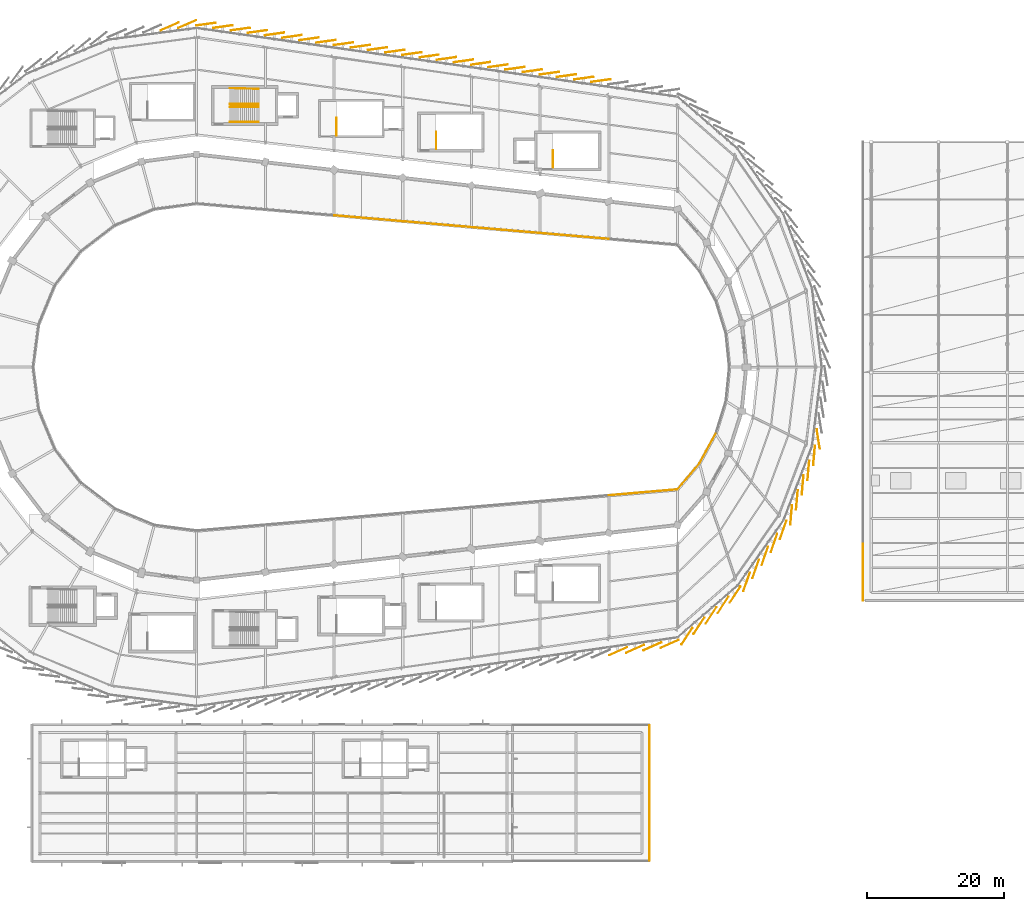
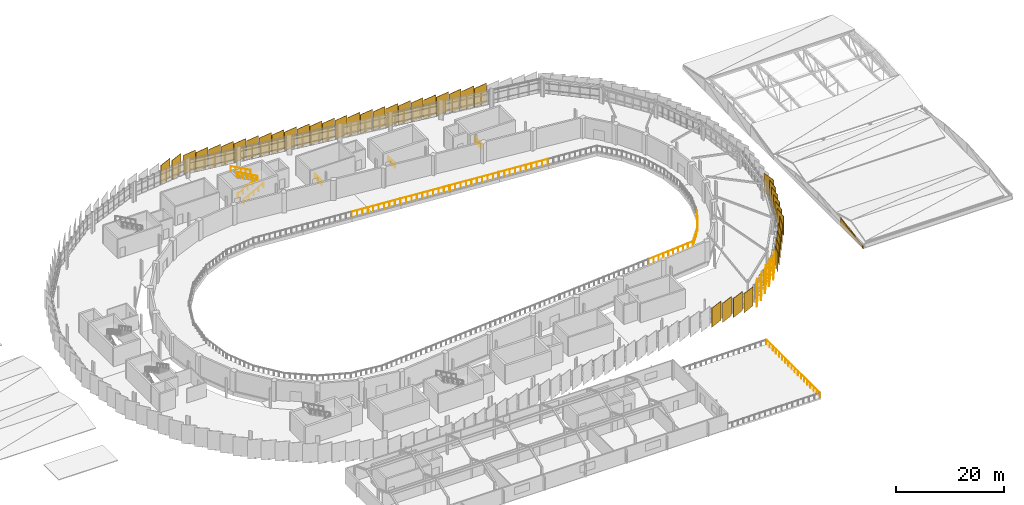
# One storey, part 85 of 87: 48 coverings, 16 railings.
"""IFC4 building model written with IfcOpenShell, lengths in metres."""

from ifc_helpers import new_model, si_unit, direction, frame, origin, origin_2d, place, context, subcontext, project, spatial, polyline, rectangle, circle, outline, extrude, material, layer, layer_set, type_object, element, save


model = new_model("IFC4")

# Units and contexts
model_context = context("Model", 3, precision=1e-05, world=origin(), true_north=direction((0.0, 1.0)))
body_context = subcontext(model_context, "Body", "Model", "MODEL_VIEW")
ifc_project = project(units=[si_unit("LENGTHUNIT", "METRE"), si_unit("AREAUNIT", "SQUARE_METRE"), si_unit("VOLUMEUNIT", "CUBIC_METRE"), si_unit("PLANEANGLEUNIT", "RADIAN"), si_unit("MASSUNIT", "GRAM", prefix="KILO")], contexts=[model_context])

# Site, building, storey
site_placement = place(None, origin())
site = spatial("IfcSite", under=ifc_project, at=site_placement, CompositionType="ELEMENT")
building_placement = place(site_placement, origin())
building = spatial("IfcBuilding", under=site, at=building_placement, Name="Sohan Crest Arena", CompositionType="ELEMENT")
storey_placement = place(building_placement, frame((0.0, 0.0, 18.0)))
storey = spatial("IfcBuildingStorey", under=building, at=storey_placement, Name="L04", CompositionType="ELEMENT", Elevation=18.0)

# Railings
ifc_material_1 = material(Name="Powder-coated wrought steel balustrade", Category="steel")
railing_type_1 = type_object("IfcRailingType", Name="ARC-GRD-01", PredefinedType="GUARDRAIL", material=ifc_material_1)
railing_1_placement = place(storey_placement, frame((107.030029296875, 116.10009765625, 2.25)))
element("IfcRailing", 1, at=railing_1_placement, inside=storey, type_object=railing_type_1, Name="Stair well slot guard GRD-039", PredefinedType="GUARDRAIL", context=body_context, shape_type="SweptSolid", body=[
    extrude(circle(Radius=0.02392578125, at=origin_2d()), frame((0.0, 0.0, 1.076171875), z_axis=(-0.87313487534, 0.0, 0.487478706678), x_axis=(0.0, -1.0, 0.0)), (0.0, 0.0, 1.0), 4.615478515625),
    extrude(circle(Radius=0.02099609375, at=origin_2d()), origin(), (0.0, 0.0, 1.0), 1.052001953125),
    extrude(circle(Radius=0.02099609375, at=origin_2d()), frame((-1.007568359375, 0.0, 0.5625)), (0.0, 0.0, 1.0), 1.052001953125),
    extrude(circle(Radius=0.02099609375, at=origin_2d()), frame((-2.01513671875, 0.0, 1.125)), (0.0, 0.0, 1.0), 1.052001953125),
    extrude(circle(Radius=0.02099609375, at=origin_2d()), frame((-3.0224609375, 0.0, 1.6875)), (0.0, 0.0, 1.0), 1.052001953125),
    extrude(circle(Radius=0.02099609375, at=origin_2d()), frame((-4.030029296875, 0.0, 2.25)), (0.0, 0.0, 1.0), 1.052001953125),
])
for number, where, name in (
    (2, (118.3701171875, 111.719970703125, 0.0), "Top stair landing well guard GRD-050"),
    (3, (149.8701171875, 107.02001953125, 0.0), "Top stair landing well guard GRD-060"),
):
    element("IfcRailing", number, at=place(storey_placement, frame(where)), inside=storey, type_object=railing_type_1, Name=name, PredefinedType="GUARDRAIL", context=body_context, shape_type="SweptSolid", body=[
        extrude(circle(Radius=0.02392578125, at=origin_2d()), frame((0.0, 0.0, 1.076171875), z_axis=(0.0, 1.0, 0.0), x_axis=(-1.0, 0.0, 0.0)), (0.0, 0.0, 1.0), 2.56005859375),
        extrude(circle(Radius=0.02099609375, at=origin_2d()), origin(), (0.0, 0.0, 1.0), 1.052001953125),
        extrude(circle(Radius=0.02099609375, at=origin_2d()), frame((0.0, 0.853271484375, 0.0)), (0.0, 0.0, 1.0), 1.052001953125),
        extrude(circle(Radius=0.02099609375, at=origin_2d()), frame((0.0, 1.706787109375, 0.0)), (0.0, 0.0, 1.0), 1.052001953125),
        extrude(circle(Radius=0.02099609375, at=origin_2d()), frame((0.0, 2.56005859375, 0.0)), (0.0, 0.0, 1.0), 1.052001953125),
    ])
railing_2_placement = place(storey_placement, frame((132.8701171875, 109.77001953125, 0.0)))
element("IfcRailing", 4, at=railing_2_placement, inside=storey, type_object=railing_type_1, Name="Top stair landing well guard GRD-122", PredefinedType="GUARDRAIL", context=body_context, shape_type="SweptSolid", body=[
    extrude(circle(Radius=0.02392578125, at=origin_2d()), frame((0.0, 0.0, 1.076171875), z_axis=(0.0, 1.0, 0.0), x_axis=(-1.0, 0.0, 0.0)), (0.0, 0.0, 1.0), 2.4599609375),
    extrude(circle(Radius=0.02099609375, at=origin_2d()), origin(), (0.0, 0.0, 1.0), 1.052001953125),
    extrude(circle(Radius=0.02099609375, at=origin_2d()), frame((0.0, 0.820068359375, 0.0)), (0.0, 0.0, 1.0), 1.052001953125),
    extrude(circle(Radius=0.02099609375, at=origin_2d()), frame((0.0, 1.639892578125, 0.0)), (0.0, 0.0, 1.0), 1.052001953125),
    extrude(circle(Radius=0.02099609375, at=origin_2d()), frame((0.0, 2.4599609375, 0.0)), (0.0, 0.0, 1.0), 1.052001953125),
])
railing_3_placement = place(storey_placement, frame((163.89990234375, 6.139892578125, 0.0)))
element("IfcRailing", 5, at=railing_3_placement, inside=storey, type_object=railing_type_1, Name="East roof garden balustrade GRD-306", PredefinedType="GUARDRAIL", context=body_context, shape_type="SweptSolid", body=[
    extrude(circle(Radius=0.02392578125, at=origin_2d()), frame((0.0, 0.0, 1.076171875), z_axis=(0.0, 1.0, 0.0), x_axis=(-1.0, 0.0, 0.0)), (0.0, 0.0, 1.0), 19.72021484375),
    extrude(circle(Radius=0.02099609375, at=origin_2d()), origin(), (0.0, 0.0, 1.0), 1.052001953125),
    extrude(circle(Radius=0.02099609375, at=origin_2d()), frame((0.0, 1.159912109375, 0.0)), (0.0, 0.0, 1.0), 1.052001953125),
    extrude(circle(Radius=0.02099609375, at=origin_2d()), frame((0.0, 2.320068359375, 0.0)), (0.0, 0.0, 1.0), 1.052001953125),
    extrude(circle(Radius=0.02099609375, at=origin_2d()), frame((0.0, 3.47998046875, 0.0)), (0.0, 0.0, 1.0), 1.052001953125),
    extrude(circle(Radius=0.02099609375, at=origin_2d()), frame((0.0, 4.64013671875, 0.0)), (0.0, 0.0, 1.0), 1.052001953125),
    extrude(circle(Radius=0.02099609375, at=origin_2d()), frame((0.0, 5.800048828125, 0.0)), (0.0, 0.0, 1.0), 1.052001953125),
    extrude(circle(Radius=0.02099609375, at=origin_2d()), frame((0.0, 6.9599609375, 0.0)), (0.0, 0.0, 1.0), 1.052001953125),
    extrude(circle(Radius=0.02099609375, at=origin_2d()), frame((0.0, 8.1201171875, 0.0)), (0.0, 0.0, 1.0), 1.052001953125),
    extrude(circle(Radius=0.02099609375, at=origin_2d()), frame((0.0, 9.280029296875, 0.0)), (0.0, 0.0, 1.0), 1.052001953125),
    extrude(circle(Radius=0.02099609375, at=origin_2d()), frame((0.0, 10.440185546875, 0.0)), (0.0, 0.0, 1.0), 1.052001953125),
    extrude(circle(Radius=0.02099609375, at=origin_2d()), frame((0.0, 11.60009765625, 0.0)), (0.0, 0.0, 1.0), 1.052001953125),
    extrude(circle(Radius=0.02099609375, at=origin_2d()), frame((0.0, 12.76025390625, 0.0)), (0.0, 0.0, 1.0), 1.052001953125),
    extrude(circle(Radius=0.02099609375, at=origin_2d()), frame((0.0, 13.920166015625, 0.0)), (0.0, 0.0, 1.0), 1.052001953125),
    extrude(circle(Radius=0.02099609375, at=origin_2d()), frame((0.0, 15.080078125, 0.0)), (0.0, 0.0, 1.0), 1.052001953125),
    extrude(circle(Radius=0.02099609375, at=origin_2d()), frame((0.0, 16.240234375, 0.0)), (0.0, 0.0, 1.0), 1.052001953125),
    extrude(circle(Radius=0.02099609375, at=origin_2d()), frame((0.0, 17.400146484375, 0.0)), (0.0, 0.0, 1.0), 1.052001953125),
    extrude(circle(Radius=0.02099609375, at=origin_2d()), frame((0.0, 18.560302734375, 0.0)), (0.0, 0.0, 1.0), 1.052001953125),
    extrude(circle(Radius=0.02099609375, at=origin_2d()), frame((0.0, 19.72021484375, 0.0)), (0.0, 0.0, 1.0), 1.052001953125),
])
ifc_material_2 = material(Name="Laminated glass and steel sightline guard", Category="steel")
railing_type_2 = type_object("IfcRailingType", Name="ARC-GRD-02", PredefinedType="GUARDRAIL", material=ifc_material_2)
railing_4_placement = place(storey_placement, frame((158.0400390625, 59.345947265625, 0.0)))
element("IfcRailing", 6, at=railing_4_placement, inside=storey, type_object=railing_type_2, Name="Bowl gallery edge guard GRD-270", PredefinedType="GUARDRAIL", context=body_context, shape_type="SweptSolid", body=[
    extrude(circle(Radius=0.02392578125, at=origin_2d()), frame((0.0, 0.0, 1.1259765625), z_axis=(0.996339849936, 0.085480427173, 0.0), x_axis=(-0.085480427173, 0.996339849936, 0.0)), (0.0, 0.0, 1.0), 9.956298828125),
    extrude(circle(Radius=0.02099609375, at=origin_2d()), origin(), (0.0, 0.0, 1.0), 1.101806640625),
    extrude(circle(Radius=0.02099609375, at=origin_2d()), frame((1.102294921875, 0.094482421875, 0.0)), (0.0, 0.0, 1.0), 1.101806640625),
    extrude(circle(Radius=0.02099609375, at=origin_2d()), frame((2.204345703125, 0.189208984375, 0.0)), (0.0, 0.0, 1.0), 1.101806640625),
    extrude(circle(Radius=0.02099609375, at=origin_2d()), frame((3.306640625, 0.28369140625, 0.0)), (0.0, 0.0, 1.0), 1.101806640625),
    extrude(circle(Radius=0.02099609375, at=origin_2d()), frame((4.408935546875, 0.378173828125, 0.0)), (0.0, 0.0, 1.0), 1.101806640625),
    extrude(circle(Radius=0.02099609375, at=origin_2d()), frame((5.510986328125, 0.472900390625, 0.0)), (0.0, 0.0, 1.0), 1.101806640625),
    extrude(circle(Radius=0.02099609375, at=origin_2d()), frame((6.61328125, 0.5673828125, 0.0)), (0.0, 0.0, 1.0), 1.101806640625),
    extrude(circle(Radius=0.02099609375, at=origin_2d()), frame((7.715576171875, 0.661865234375, 0.0)), (0.0, 0.0, 1.0), 1.101806640625),
    extrude(circle(Radius=0.02099609375, at=origin_2d()), frame((8.817626953125, 0.756591796875, 0.0)), (0.0, 0.0, 1.0), 1.101806640625),
    extrude(circle(Radius=0.02099609375, at=origin_2d()), frame((9.919921875, 0.85107421875, 0.0)), (0.0, 0.0, 1.0), 1.101806640625),
])
railing_5_placement = place(storey_placement, frame((168.02587890625, 60.23095703125, 0.0)))
element("IfcRailing", 7, at=railing_5_placement, inside=storey, type_object=railing_type_2, Name="Bowl gallery edge guard GRD-271", PredefinedType="GUARDRAIL", context=body_context, shape_type="SweptSolid", body=[
    extrude(circle(Radius=0.02392578125, at=origin_2d()), frame((0.0, 0.0, 1.1259765625), z_axis=(0.644656953224, 0.764471982914, 0.0), x_axis=(-0.764471982914, 0.644656953224, 0.0)), (0.0, 0.0, 1.0), 4.8740234375),
    extrude(circle(Radius=0.02099609375, at=origin_2d()), origin(), (0.0, 0.0, 1.0), 1.101806640625),
    extrude(circle(Radius=0.02099609375, at=origin_2d()), frame((0.62841796875, 0.7451171875, 0.0)), (0.0, 0.0, 1.0), 1.101806640625),
    extrude(circle(Radius=0.02099609375, at=origin_2d()), frame((1.2568359375, 1.490478515625, 0.0)), (0.0, 0.0, 1.0), 1.101806640625),
    extrude(circle(Radius=0.02099609375, at=origin_2d()), frame((1.88525390625, 2.235595703125, 0.0)), (0.0, 0.0, 1.0), 1.101806640625),
    extrude(circle(Radius=0.02099609375, at=origin_2d()), frame((2.513671875, 2.98095703125, 0.0)), (0.0, 0.0, 1.0), 1.101806640625),
    extrude(circle(Radius=0.02099609375, at=origin_2d()), frame((3.14208984375, 3.72607421875, 0.0)), (0.0, 0.0, 1.0), 1.101806640625),
])
railing_6_placement = place(storey_placement, frame((171.212890625, 64.02294921875, 0.0)))
element("IfcRailing", 8, at=railing_6_placement, inside=storey, type_object=railing_type_2, Name="Bowl gallery edge guard GRD-272", PredefinedType="GUARDRAIL", context=body_context, shape_type="SweptSolid", body=[
    extrude(circle(Radius=0.02392578125, at=origin_2d()), frame((0.0, 0.0, 1.1259765625), z_axis=(0.47973946728, 0.877410988952, 0.0), x_axis=(-0.877410988952, 0.47973946728, 0.0)), (0.0, 0.0, 1.0), 4.875732421875),
    extrude(circle(Radius=0.02099609375, at=origin_2d()), origin(), (0.0, 0.0, 1.0), 1.101806640625),
    extrude(circle(Radius=0.02099609375, at=origin_2d()), frame((0.4677734375, 0.855712890625, 0.0)), (0.0, 0.0, 1.0), 1.101806640625),
    extrude(circle(Radius=0.02099609375, at=origin_2d()), frame((0.935546875, 1.711181640625, 0.0)), (0.0, 0.0, 1.0), 1.101806640625),
    extrude(circle(Radius=0.02099609375, at=origin_2d()), frame((1.403564453125, 2.56689453125, 0.0)), (0.0, 0.0, 1.0), 1.101806640625),
    extrude(circle(Radius=0.02099609375, at=origin_2d()), frame((1.871337890625, 3.42236328125, 0.0)), (0.0, 0.0, 1.0), 1.101806640625),
    extrude(circle(Radius=0.02099609375, at=origin_2d()), frame((2.339111328125, 4.278076171875, 0.0)), (0.0, 0.0, 1.0), 1.101806640625),
])
railing_7_placement = place(storey_placement, frame((157.9599609375, 96.659912109375, 0.0)))
element("IfcRailing", 9, at=railing_7_placement, inside=storey, type_object=railing_type_2, Name="Bowl gallery edge guard GRD-280", PredefinedType="GUARDRAIL", context=body_context, shape_type="SweptSolid", body=[
    extrude(circle(Radius=0.02392578125, at=origin_2d()), frame((0.0, 0.0, 1.1259765625), z_axis=(-0.996339849936, 0.085480427173, 0.0), x_axis=(-0.085480427173, -0.996339849936, 0.0)), (0.0, 0.0, 1.0), 9.956298828125),
    extrude(circle(Radius=0.02099609375, at=origin_2d()), origin(), (0.0, 0.0, 1.0), 1.101806640625),
    extrude(circle(Radius=0.02099609375, at=origin_2d()), frame((-1.102294921875, 0.094482421875, 0.0)), (0.0, 0.0, 1.0), 1.101806640625),
    extrude(circle(Radius=0.02099609375, at=origin_2d()), frame((-2.204345703125, 0.189208984375, 0.0)), (0.0, 0.0, 1.0), 1.101806640625),
    extrude(circle(Radius=0.02099609375, at=origin_2d()), frame((-3.306640625, 0.28369140625, 0.0)), (0.0, 0.0, 1.0), 1.101806640625),
    extrude(circle(Radius=0.02099609375, at=origin_2d()), frame((-4.408935546875, 0.378173828125, 0.0)), (0.0, 0.0, 1.0), 1.101806640625),
    extrude(circle(Radius=0.02099609375, at=origin_2d()), frame((-5.510986328125, 0.472900390625, 0.0)), (0.0, 0.0, 1.0), 1.101806640625),
    extrude(circle(Radius=0.02099609375, at=origin_2d()), frame((-6.61328125, 0.5673828125, 0.0)), (0.0, 0.0, 1.0), 1.101806640625),
    extrude(circle(Radius=0.02099609375, at=origin_2d()), frame((-7.715576171875, 0.661865234375, 0.0)), (0.0, 0.0, 1.0), 1.101806640625),
    extrude(circle(Radius=0.02099609375, at=origin_2d()), frame((-8.817626953125, 0.756591796875, 0.0)), (0.0, 0.0, 1.0), 1.101806640625),
    extrude(circle(Radius=0.02099609375, at=origin_2d()), frame((-9.919921875, 0.85107421875, 0.0)), (0.0, 0.0, 1.0), 1.101806640625),
])
railing_8_placement = place(storey_placement, frame((147.9599609375, 97.51708984375, 0.0)))
element("IfcRailing", 10, at=railing_8_placement, inside=storey, type_object=railing_type_2, Name="Bowl gallery edge guard GRD-281", PredefinedType="GUARDRAIL", context=body_context, shape_type="SweptSolid", body=[
    extrude(circle(Radius=0.02392578125, at=origin_2d()), frame((0.0, 0.0, 1.1259765625), z_axis=(-0.996341938042, 0.085456085206, 0.0), x_axis=(-0.085456085206, -0.996341938042, 0.0)), (0.0, 0.0, 1.0), 9.956298828125),
    extrude(circle(Radius=0.02099609375, at=origin_2d()), origin(), (0.0, 0.0, 1.0), 1.101806640625),
    extrude(circle(Radius=0.02099609375, at=origin_2d()), frame((-1.102294921875, 0.094482421875, 0.0)), (0.0, 0.0, 1.0), 1.101806640625),
    extrude(circle(Radius=0.02099609375, at=origin_2d()), frame((-2.204345703125, 0.18896484375, 0.0)), (0.0, 0.0, 1.0), 1.101806640625),
    extrude(circle(Radius=0.02099609375, at=origin_2d()), frame((-3.306640625, 0.28369140625, 0.0)), (0.0, 0.0, 1.0), 1.101806640625),
    extrude(circle(Radius=0.02099609375, at=origin_2d()), frame((-4.408935546875, 0.378173828125, 0.0)), (0.0, 0.0, 1.0), 1.101806640625),
    extrude(circle(Radius=0.02099609375, at=origin_2d()), frame((-5.510986328125, 0.47265625, 0.0)), (0.0, 0.0, 1.0), 1.101806640625),
    extrude(circle(Radius=0.02099609375, at=origin_2d()), frame((-6.61328125, 0.567138671875, 0.0)), (0.0, 0.0, 1.0), 1.101806640625),
    extrude(circle(Radius=0.02099609375, at=origin_2d()), frame((-7.715576171875, 0.661865234375, 0.0)), (0.0, 0.0, 1.0), 1.101806640625),
    extrude(circle(Radius=0.02099609375, at=origin_2d()), frame((-8.817626953125, 0.75634765625, 0.0)), (0.0, 0.0, 1.0), 1.101806640625),
    extrude(circle(Radius=0.02099609375, at=origin_2d()), frame((-9.919921875, 0.850830078125, 0.0)), (0.0, 0.0, 1.0), 1.101806640625),
])
railing_9_placement = place(storey_placement, frame((137.9599609375, 98.3740234375, 0.0)))
element("IfcRailing", 11, at=railing_9_placement, inside=storey, type_object=railing_type_2, Name="Bowl gallery edge guard GRD-282", PredefinedType="GUARDRAIL", context=body_context, shape_type="SweptSolid", body=[
    extrude(circle(Radius=0.02392578125, at=origin_2d()), frame((0.0, 0.0, 1.1259765625), z_axis=(-0.996331491652, 0.085577793509, 0.0), x_axis=(-0.085577793509, -0.996331491652, 0.0)), (0.0, 0.0, 1.0), 9.95654296875),
    extrude(circle(Radius=0.02099609375, at=origin_2d()), origin(), (0.0, 0.0, 1.0), 1.101806640625),
    extrude(circle(Radius=0.02099609375, at=origin_2d()), frame((-1.102294921875, 0.0947265625, 0.0)), (0.0, 0.0, 1.0), 1.101806640625),
    extrude(circle(Radius=0.02099609375, at=origin_2d()), frame((-2.204345703125, 0.189453125, 0.0)), (0.0, 0.0, 1.0), 1.101806640625),
    extrude(circle(Radius=0.02099609375, at=origin_2d()), frame((-3.306640625, 0.283935546875, 0.0)), (0.0, 0.0, 1.0), 1.101806640625),
    extrude(circle(Radius=0.02099609375, at=origin_2d()), frame((-4.408935546875, 0.378662109375, 0.0)), (0.0, 0.0, 1.0), 1.101806640625),
    extrude(circle(Radius=0.02099609375, at=origin_2d()), frame((-5.510986328125, 0.473388671875, 0.0)), (0.0, 0.0, 1.0), 1.101806640625),
    extrude(circle(Radius=0.02099609375, at=origin_2d()), frame((-6.61328125, 0.568115234375, 0.0)), (0.0, 0.0, 1.0), 1.101806640625),
    extrude(circle(Radius=0.02099609375, at=origin_2d()), frame((-7.715576171875, 0.66259765625, 0.0)), (0.0, 0.0, 1.0), 1.101806640625),
    extrude(circle(Radius=0.02099609375, at=origin_2d()), frame((-8.817626953125, 0.75732421875, 0.0)), (0.0, 0.0, 1.0), 1.101806640625),
    extrude(circle(Radius=0.02099609375, at=origin_2d()), frame((-9.919921875, 0.85205078125, 0.0)), (0.0, 0.0, 1.0), 1.101806640625),
])
railing_10_placement = place(storey_placement, frame((127.9599609375, 99.23193359375, 0.0)))
element("IfcRailing", 12, at=railing_10_placement, inside=storey, type_object=railing_type_2, Name="Bowl gallery edge guard GRD-283", PredefinedType="GUARDRAIL", context=body_context, shape_type="SweptSolid", body=[
    extrude(circle(Radius=0.02392578125, at=origin_2d()), frame((0.0, 0.0, 1.1259765625), z_axis=(-0.996339849936, 0.085480427173, 0.0), x_axis=(-0.085480427173, -0.996339849936, 0.0)), (0.0, 0.0, 1.0), 9.956298828125),
    extrude(circle(Radius=0.02099609375, at=origin_2d()), origin(), (0.0, 0.0, 1.0), 1.101806640625),
    extrude(circle(Radius=0.02099609375, at=origin_2d()), frame((-1.102294921875, 0.094482421875, 0.0)), (0.0, 0.0, 1.0), 1.101806640625),
    extrude(circle(Radius=0.02099609375, at=origin_2d()), frame((-2.204345703125, 0.189208984375, 0.0)), (0.0, 0.0, 1.0), 1.101806640625),
    extrude(circle(Radius=0.02099609375, at=origin_2d()), frame((-3.306640625, 0.28369140625, 0.0)), (0.0, 0.0, 1.0), 1.101806640625),
    extrude(circle(Radius=0.02099609375, at=origin_2d()), frame((-4.408935546875, 0.378173828125, 0.0)), (0.0, 0.0, 1.0), 1.101806640625),
    extrude(circle(Radius=0.02099609375, at=origin_2d()), frame((-5.510986328125, 0.472900390625, 0.0)), (0.0, 0.0, 1.0), 1.101806640625),
    extrude(circle(Radius=0.02099609375, at=origin_2d()), frame((-6.61328125, 0.5673828125, 0.0)), (0.0, 0.0, 1.0), 1.101806640625),
    extrude(circle(Radius=0.02099609375, at=origin_2d()), frame((-7.715576171875, 0.661865234375, 0.0)), (0.0, 0.0, 1.0), 1.101806640625),
    extrude(circle(Radius=0.02099609375, at=origin_2d()), frame((-8.817626953125, 0.756591796875, 0.0)), (0.0, 0.0, 1.0), 1.101806640625),
    extrude(circle(Radius=0.02099609375, at=origin_2d()), frame((-9.919921875, 0.85107421875, 0.0)), (0.0, 0.0, 1.0), 1.101806640625),
])
ifc_material_3 = material(Name="Brushed stainless steel stair handrail", Category="steel")
railing_type_3 = type_object("IfcRailingType", Name="ARC-HR-01", PredefinedType="HANDRAIL", material=ifc_material_3)
for number, where, name in (
    (13, (102.85009765625, 113.7099609375, 0.0), "Stair pitch handrail HR-133"),
    (14, (102.85009765625, 115.889892578125, 0.0), "Stair pitch handrail HR-134"),
):
    element("IfcRailing", number, at=place(storey_placement, frame(where)), inside=storey, type_object=railing_type_3, Name=name, PredefinedType="HANDRAIL", context=body_context, shape_type="SweptSolid", body=[
        extrude(circle(Radius=0.02392578125, at=origin_2d()), frame((0.0, 0.0, 0.97607421875), z_axis=(0.881477684796, 0.0, 0.472225678258), x_axis=(0.0, 1.0, 0.0)), (0.0, 0.0, 1.0), 4.7646484375),
        extrude(circle(Radius=0.02099609375, at=origin_2d()), origin(), (0.0, 0.0, 1.0), 0.951904296875),
        extrude(circle(Radius=0.02099609375, at=origin_2d()), frame((1.050048828125, 0.0, 0.5625)), (0.0, 0.0, 1.0), 0.951904296875),
        extrude(circle(Radius=0.02099609375, at=origin_2d()), frame((2.10009765625, 0.0, 1.125)), (0.0, 0.0, 1.0), 0.951904296875),
        extrude(circle(Radius=0.02099609375, at=origin_2d()), frame((3.14990234375, 0.0, 1.6875)), (0.0, 0.0, 1.0), 0.951904296875),
        extrude(circle(Radius=0.02099609375, at=origin_2d()), frame((4.199951171875, 0.0, 2.25)), (0.0, 0.0, 1.0), 0.951904296875),
    ])
railing_11_placement = place(storey_placement, frame((107.050048828125, 116.31005859375, 2.25)))
element("IfcRailing", 15, at=railing_11_placement, inside=storey, type_object=railing_type_3, Name="Stair pitch handrail HR-135", PredefinedType="HANDRAIL", context=body_context, shape_type="SweptSolid", body=[
    extrude(circle(Radius=0.02392578125, at=origin_2d()), frame((0.0, 0.0, 0.97607421875), z_axis=(-0.881477684796, 0.0, 0.472225678258), x_axis=(0.0, -1.0, 0.0)), (0.0, 0.0, 1.0), 4.7646484375),
    extrude(circle(Radius=0.02099609375, at=origin_2d()), origin(), (0.0, 0.0, 1.0), 0.951904296875),
    extrude(circle(Radius=0.02099609375, at=origin_2d()), frame((-1.050048828125, 0.0, 0.5625)), (0.0, 0.0, 1.0), 0.951904296875),
    extrude(circle(Radius=0.02099609375, at=origin_2d()), frame((-2.10009765625, 0.0, 1.125)), (0.0, 0.0, 1.0), 0.951904296875),
    extrude(circle(Radius=0.02099609375, at=origin_2d()), frame((-3.14990234375, 0.0, 1.6875)), (0.0, 0.0, 1.0), 0.951904296875),
    extrude(circle(Radius=0.02099609375, at=origin_2d()), frame((-4.199951171875, 0.0, 2.25)), (0.0, 0.0, 1.0), 0.951904296875),
])
railing_12_placement = place(storey_placement, frame((107.050048828125, 118.489990234375, 2.25)))
element("IfcRailing", 16, at=railing_12_placement, inside=storey, type_object=railing_type_3, Name="Stair pitch handrail HR-136", PredefinedType="HANDRAIL", context=body_context, shape_type="SweptSolid", body=[
    extrude(circle(Radius=0.02392578125, at=origin_2d()), frame((0.0, 0.0, 0.97607421875), z_axis=(-0.881197710057, 0.025201957411, 0.472075690047), x_axis=(-0.028587973606, -0.999591280357, 0.0)), (0.0, 0.0, 1.0), 4.76611328125),
    extrude(circle(Radius=0.02099609375, at=origin_2d()), origin(), (0.0, 0.0, 1.0), 0.951904296875),
    extrude(circle(Radius=0.02099609375, at=origin_2d()), frame((-1.050048828125, 0.030029296875, 0.5625)), (0.0, 0.0, 1.0), 0.951904296875),
    extrude(circle(Radius=0.02099609375, at=origin_2d()), frame((-2.10009765625, 0.06005859375, 1.125)), (0.0, 0.0, 1.0), 0.951904296875),
    extrude(circle(Radius=0.02099609375, at=origin_2d()), frame((-3.14990234375, 0.090087890625, 1.6875)), (0.0, 0.0, 1.0), 0.951904296875),
    extrude(circle(Radius=0.02099609375, at=origin_2d()), frame((-4.199951171875, 0.1201171875, 2.25)), (0.0, 0.0, 1.0), 0.951904296875),
])

# Coverings
ifc_material_4 = material(Name="Glazed ivory trencadis ceramic cladding", Category="masonry")
ifc_layer_1 = layer(ifc_material_4, 0.06494140625, Name="Glazed ivory trencadis ceramic cladding")
ifc_layer_set_1 = layer_set([ifc_layer_1], Name="Glazed ivory trencadis ceramic cladding")
covering_type_1 = type_object("IfcCoveringType", Name="COV-SC-IV", PredefinedType="CLADDING", material=ifc_layer_set_1)
for number, where, z_axis, x_axis, name in (
    (17, (94.069091796875, 127.59912109375, -0.2001953125), (0.0, 0.0, 1.0), (-0.917060074385, -0.398749068925, 0.0), "Rotated trencadis ceramic scale panel SC-0400"),
    (18, (159.35791015625, 36.64697265625, -0.2001953125), (0.0, 0.0, 1.0), (0.912834177233, 0.408330460381, 0.0), "Rotated trencadis ceramic scale panel SC-0483"),
    (19, (161.85791015625, 37.0048828125, -0.2001953125), (0.0, 0.0, 1.0), (0.912834177233, 0.408330460381, 0.0), "Rotated trencadis ceramic scale panel SC-0484"),
    (20, (166.85791015625, 37.718994140625, -0.2001953125), (0.0, 0.0, 1.0), (0.912834177233, 0.408330460381, 0.0), "Rotated trencadis ceramic scale panel SC-0486"),
    (21, (169.373046875, 38.83203125, -0.2001953125), (0.0, 0.0, 1.0), (0.547563223493, 0.836764313459, 0.0), "Rotated trencadis ceramic scale panel SC-0487"),
    (22, (172.8798828125, 41.861083984375, -0.2001953125), (0.0, 0.0, 1.0), (0.547563223493, 0.836764313459, 0.0), "Rotated trencadis ceramic scale panel SC-0489"),
    (23, (174.633056640625, 43.375, -0.2001953125), (0.0, 0.0, 1.0), (0.547563223493, 0.836764313459, 0.0), "Rotated trencadis ceramic scale panel SC-0490"),
    (24, (176.385986328125, 44.889892578125, -0.2001953125), (0.0, 0.0, 1.0), (0.547563223493, 0.836764313459, 0.0), "Rotated trencadis ceramic scale panel SC-0491"),
    (25, (179.386962890625, 48.626953125, -0.2001953125), (0.0, 0.0, 1.0), (0.327217898979, 0.944948912158, 0.0), "Rotated trencadis ceramic scale panel SC-0493"),
    (26, (180.719970703125, 50.52099609375, -0.2001953125), (0.0, 0.0, 1.0), (0.327217898979, 0.944948912158, 0.0), "Rotated trencadis ceramic scale panel SC-0494"),
    (27, (182.052978515625, 52.416015625, -0.2001953125), (0.0, 0.0, 1.0), (0.327217898979, 0.944948912158, 0.0), "Rotated trencadis ceramic scale panel SC-0495"),
    (28, (183.385986328125, 54.31005859375, -0.2001953125), (0.0, 0.0, 1.0), (0.327217898979, 0.944948912158, 0.0), "Rotated trencadis ceramic scale panel SC-0496"),
    (29, (184.556884765625, 56.5029296875, -0.2001953125), (0.0, 0.0, 1.0), (0.088894296866, 0.996041065411, 0.0), "Rotated trencadis ceramic scale panel SC-0497"),
    (30, (185.389892578125, 58.6640625, -0.2001953125), (0.0, 0.0, 1.0), (0.088894296866, 0.996041065411, 0.0), "Rotated trencadis ceramic scale panel SC-0498"),
    (31, (186.222900390625, 60.825927734375, -0.2001953125), (0.0, 0.0, 1.0), (0.088894296866, 0.996041065411, 0.0), "Rotated trencadis ceramic scale panel SC-0499"),
    (32, (187.055908203125, 62.988037109375, -0.2001953125), (0.0, 0.0, 1.0), (0.088894296866, 0.996041065411, 0.0), "Rotated trencadis ceramic scale panel SC-0500"),
    (33, (188.492919921875, 67.56103515625, -0.2001953125), (0.0, 0.0, 1.0), (-0.15643446504, 0.987688340595, 0.0), "Rotated trencadis ceramic scale panel SC-0502"),
    (34, (156.85693359375, 119.7099609375, -0.2001953125), (0.0, 0.0, 1.0), (-0.990509463238, -0.137444546037, 0.0), "Rotated trencadis ceramic scale panel SC-0531"),
    (35, (154.35693359375, 120.06689453125, -0.2001953125), (0.0, 0.0, 1.0), (-0.990509463238, -0.137444546037, 0.0), "Rotated trencadis ceramic scale panel SC-0532"),
    (36, (149.35693359375, 120.781005859375, -0.2001953125), (0.0, 0.0, 1.0), (-0.990509463238, -0.137444546037, 0.0), "Rotated trencadis ceramic scale panel SC-0534"),
    (37, (146.85791015625, 121.137939453125, -0.2001953125), (0.0, 0.0, 1.0), (-0.990509463238, -0.137444546037, 0.0), "Rotated trencadis ceramic scale panel SC-0535"),
    (38, (141.85791015625, 121.85205078125, -0.2001953125), (0.0, 0.0, 1.0), (-0.990509463238, -0.137444546037, 0.0), "Rotated trencadis ceramic scale panel SC-0537"),
    (39, (139.35791015625, 122.2099609375, -0.2001953125), (0.0, 0.0, 1.0), (-0.990509463238, -0.137444546037, 0.0), "Rotated trencadis ceramic scale panel SC-0538"),
    (40, (134.35693359375, 122.924072265625, -0.2001953125), (0.0, 0.0, 1.0), (-0.990509463238, -0.137444546037, 0.0), "Rotated trencadis ceramic scale panel SC-0540"),
    (41, (131.85693359375, 123.281005859375, -0.2001953125), (0.0, 0.0, 1.0), (-0.990509463238, -0.137444546037, 0.0), "Rotated trencadis ceramic scale panel SC-0541"),
    (42, (129.35693359375, 123.637939453125, -0.2001953125), (0.0, 0.0, 1.0), (-0.990509463238, -0.137444546037, 0.0), "Rotated trencadis ceramic scale panel SC-0542"),
    (43, (126.85791015625, 123.9951171875, -0.2001953125), (0.0, 0.0, 1.0), (-0.990509463238, -0.137444546037, 0.0), "Rotated trencadis ceramic scale panel SC-0543"),
    (44, (124.35791015625, 124.35205078125, -0.2001953125), (0.0, 0.0, 1.0), (-0.990509463238, -0.137444546037, 0.0), "Rotated trencadis ceramic scale panel SC-0544"),
    (45, (121.85791015625, 124.708984375, -0.2001953125), (0.0, 0.0, 1.0), (-0.990509463238, -0.137444546037, 0.0), "Rotated trencadis ceramic scale panel SC-0545"),
    (46, (119.35791015625, 125.06689453125, -0.2001953125), (0.0, 0.0, 1.0), (-0.990509463238, -0.137444546037, 0.0), "Rotated trencadis ceramic scale panel SC-0546"),
    (47, (116.85693359375, 125.424072265625, -0.2001953125), (0.0, 0.0, 1.0), (-0.990509463238, -0.137444546037, 0.0), "Rotated trencadis ceramic scale panel SC-0547"),
    (48, (114.35693359375, 125.781005859375, -0.2001953125), (0.0, 0.0, 1.0), (-0.990509463238, -0.137444546037, 0.0), "Rotated trencadis ceramic scale panel SC-0548"),
    (49, (111.85693359375, 126.137939453125, -0.2001953125), (0.0, 0.0, 1.0), (-0.990509463238, -0.137444546037, 0.0), "Rotated trencadis ceramic scale panel SC-0549"),
    (50, (106.85791015625, 126.85205078125, -0.2001953125), (0.0, 0.0, 1.0), (-0.990509463238, -0.137444546037, 0.0), "Rotated trencadis ceramic scale panel SC-0551"),
    (51, (104.35791015625, 127.208984375, -0.2001953125), (0.0, 0.0, 1.0), (-0.990509463238, -0.137444546037, 0.0), "Rotated trencadis ceramic scale panel SC-0552"),
    (52, (99.35791015625, 127.924072265625, -0.2001953125), (0.0, 0.0, 1.0), (-0.990509463238, -0.137444546037, 0.0), "Rotated trencadis ceramic scale panel SC-0554"),
):
    element("IfcCovering", number, at=place(storey_placement, frame(where, z_axis=z_axis, x_axis=x_axis)), inside=storey, type_object=covering_type_1, Name=name, PredefinedType="CLADDING", context=body_context, shape_type="SweptSolid", body=[
        extrude(rectangle(XDim=2.85009765625, YDim=0.06494140625, at=origin_2d()), origin(), (0.0, 0.0, 1.0), 4.300048828125),
    ])
ifc_material_5 = material(Name="Glazed terracotta trencadis ceramic cladding", Category="masonry")
ifc_layer_2 = layer(ifc_material_5, 0.074951171875, Name="Glazed terracotta trencadis ceramic cladding")
ifc_layer_set_2 = layer_set([ifc_layer_2], Name="Glazed terracotta trencadis ceramic cladding")
covering_type_2 = type_object("IfcCoveringType", Name="COV-SC-TC", PredefinedType="CLADDING", material=ifc_layer_set_2)
for number, where, z_axis, x_axis, name in (
    (53, (96.623046875, 127.93505859375, -0.2001953125), (0.0, 0.0, 1.0), (-0.917060074385, -0.398749068925, 0.0), "Rotated trencadis ceramic scale panel SC-0399"),
    (54, (164.35791015625, 37.362060546875, -0.2001953125), (0.0, 0.0, 1.0), (0.912834177233, 0.408330460381, 0.0), "Rotated trencadis ceramic scale panel SC-0485"),
    (55, (171.126953125, 40.345947265625, -0.2001953125), (0.0, 0.0, 1.0), (0.547563223493, 0.836764313459, 0.0), "Rotated trencadis ceramic scale panel SC-0488"),
    (56, (178.053955078125, 46.73193359375, -0.2001953125), (0.0, 0.0, 1.0), (0.327217898979, 0.944948912158, 0.0), "Rotated trencadis ceramic scale panel SC-0492"),
    (57, (187.889892578125, 65.14990234375, -0.2001953125), (0.0, 0.0, 1.0), (0.088894296866, 0.996041065411, 0.0), "Rotated trencadis ceramic scale panel SC-0501"),
    (58, (151.85693359375, 120.424072265625, -0.2001953125), (0.0, 0.0, 1.0), (-0.990509463238, -0.137444546037, 0.0), "Rotated trencadis ceramic scale panel SC-0533"),
    (59, (144.35791015625, 121.4951171875, -0.2001953125), (0.0, 0.0, 1.0), (-0.990509463238, -0.137444546037, 0.0), "Rotated trencadis ceramic scale panel SC-0536"),
    (60, (136.85693359375, 122.56689453125, -0.2001953125), (0.0, 0.0, 1.0), (-0.990509463238, -0.137444546037, 0.0), "Rotated trencadis ceramic scale panel SC-0539"),
    (61, (109.35693359375, 126.4951171875, -0.2001953125), (0.0, 0.0, 1.0), (-0.990509463238, -0.137444546037, 0.0), "Rotated trencadis ceramic scale panel SC-0550"),
    (62, (101.85791015625, 127.56591796875, -0.2001953125), (0.0, 0.0, 1.0), (-0.990509463238, -0.137444546037, 0.0), "Rotated trencadis ceramic scale panel SC-0553"),
):
    element("IfcCovering", number, at=place(storey_placement, frame(where, z_axis=z_axis, x_axis=x_axis)), inside=storey, type_object=covering_type_2, Name=name, PredefinedType="CLADDING", context=body_context, shape_type="SweptSolid", body=[
        extrude(rectangle(XDim=2.85009765625, YDim=0.074951171875, at=origin_2d()), origin(), (0.0, 0.0, 1.0), 4.300048828125),
    ])
covering_1_placement = place(storey_placement, frame((195.06005859375, 44.0, -0.14990234375), z_axis=(1.0, 0.0, 0.0), x_axis=(0.0, 1.0, 0.0)))
element("IfcCovering", 63, at=covering_1_placement, inside=storey, type_object=covering_type_2, Name="Community wing barrel-vault gable tympanum TYM-17", PredefinedType="CLADDING", context=body_context, shape_type="SweptSolid", body=[
    extrude(outline(polyline([(0.0, 0.0), (8.300048828125, 0.0), (8.300048828125, 1.949951171875), (0.0, 0.0)])), origin(), (0.0, 0.0, -1.0), 0.1201171875),
])
covering_2_placement = place(storey_placement, frame((195.06005859375, 44.0, -0.14990234375), z_axis=(1.0, 0.0, 0.0), x_axis=(0.0, 0.97349559856, 0.22870574891)))
element("IfcCovering", 64, at=covering_2_placement, inside=storey, type_object=covering_type_2, Name="Community wing barrel-vault gable tympanum TYM-18", PredefinedType="CLADDING", context=body_context, shape_type="SweptSolid", body=[
    extrude(outline(polyline([(0.0, 0.0), (8.526026045113625, 2.220446049250313e-16), (0.11435287445506585, 0.48674779927993916), (0.0, 0.0)])), origin(), (0.0, 0.0, -1.0), 0.1201171875),
])

save(model, "model.ifc")
